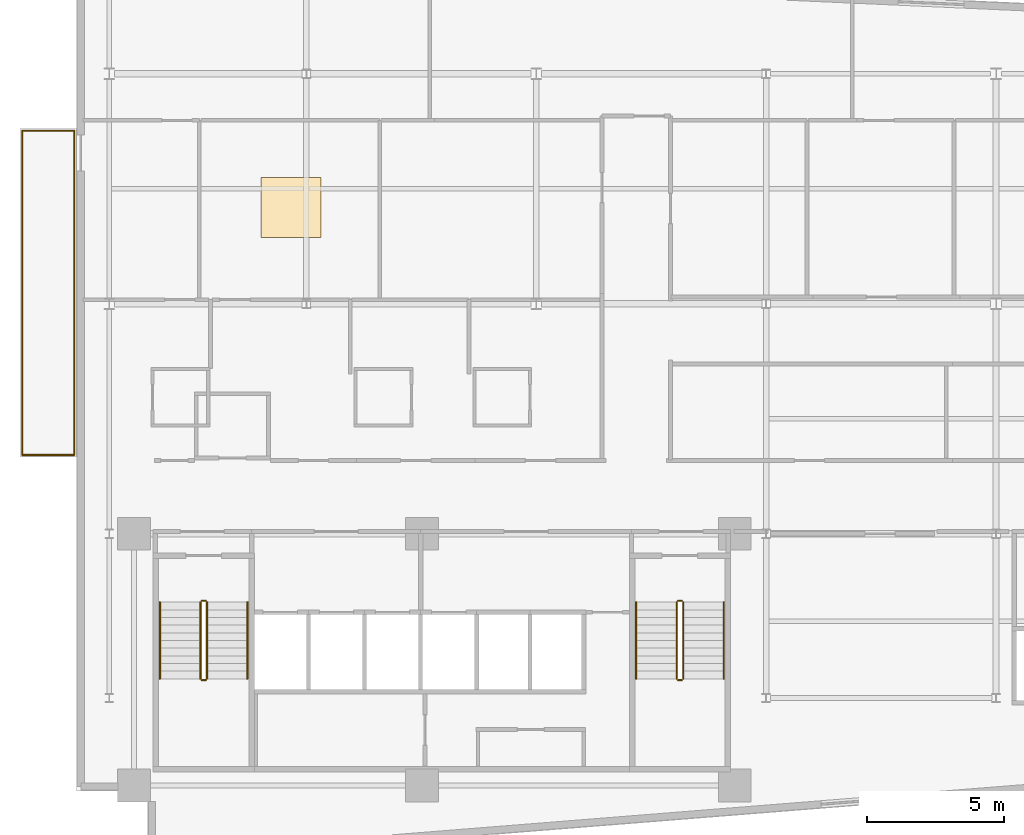
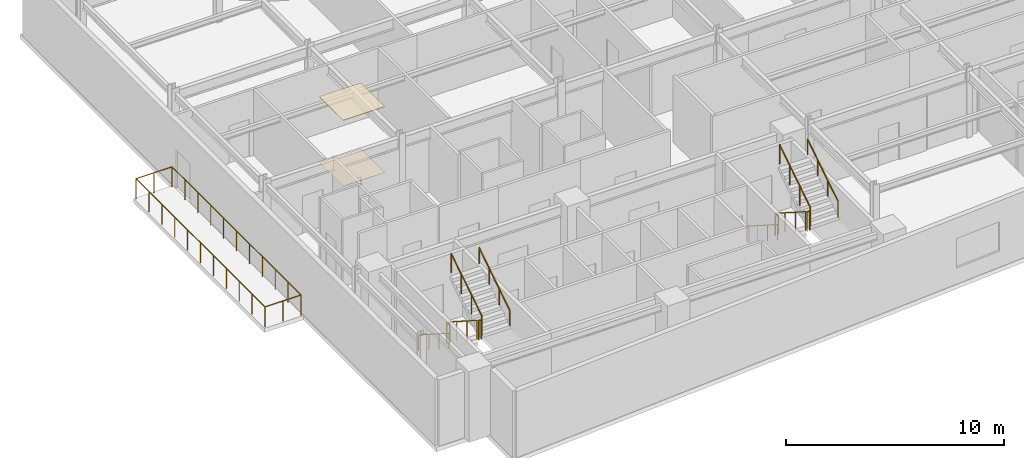
# One storey, part 14 of 17: 16 railings, 2 coverings.
"""IFC4 building model written with IfcOpenShell, lengths in metres."""

from ifc_helpers import new_model, si_unit, direction, frame, origin, origin_2d, place, context, subcontext, project, spatial, rectangle, circle, extrude, material, layer, layer_set, type_object, element, save


model = new_model("IFC4")

# Units and contexts
model_context = context("Model", 3, precision=1e-05, world=origin(), true_north=direction((0.0, 1.0)))
body_context = subcontext(model_context, "Body", "Model", "MODEL_VIEW")
ifc_project = project(units=[si_unit("LENGTHUNIT", "METRE"), si_unit("AREAUNIT", "SQUARE_METRE"), si_unit("VOLUMEUNIT", "CUBIC_METRE"), si_unit("PLANEANGLEUNIT", "RADIAN"), si_unit("MASSUNIT", "GRAM", prefix="KILO")], contexts=[model_context])

# Site, building, storey
site_placement = place(None, origin())
site = spatial("IfcSite", under=ifc_project, at=site_placement, CompositionType="ELEMENT")
building_placement = place(site_placement, origin())
building = spatial("IfcBuilding", under=site, at=building_placement, Name="Varnakote Quay Hospital", CompositionType="ELEMENT")
storey_placement = place(building_placement, frame((0.0, 0.0, 127.050048828125)))
storey = spatial("IfcBuildingStorey", under=building, at=storey_placement, Name="L31", CompositionType="ELEMENT", Elevation=127.050048828125)

# Coverings
ifc_material_1 = material(Name="Antimicrobial acoustic mineral ceiling tile", Category="gypsum")
ifc_layer_1 = layer(ifc_material_1, 0.02490234375)
ifc_layer_set_1 = layer_set([ifc_layer_1], Name="Antimicrobial acoustic mineral ceiling tile")
covering_type_1 = type_object("IfcCoveringType", Name="COV-CLIN-CEIL-25", PredefinedType="CEILING", material=ifc_layer_set_1)
covering_1_placement = place(storey_placement, frame((7.844970703125, 23.9150390625, 3.68505859375), z_axis=(0.0, 0.0, 1.0), x_axis=(1.0, 0.0, 0.0)))
element("IfcCovering", 1, at=covering_1_placement, inside=storey, type_object=covering_type_1, Name="L31 Antimicrobial Acoustic Ceiling Tile", PredefinedType="CEILING", context=body_context, shape_type="SweptSolid", body=[
    extrude(rectangle(XDim=2.199951171875, YDim=2.199951171875, at=origin_2d()), origin(), (0.0, 0.0, 1.0), 0.02490234375),
])
ifc_material_2 = material(Name="Seamless clinical sheet vinyl flooring")
ifc_layer_2 = layer(ifc_material_2, 0.011962890625)
ifc_layer_set_2 = layer_set([ifc_layer_2], Name="Seamless clinical sheet vinyl flooring")
covering_type_2 = type_object("IfcCoveringType", Name="COV-CLIN-VINYL-12", PredefinedType="FLOORING", material=ifc_layer_set_2)
covering_2_placement = place(storey_placement, frame((7.844970703125, 23.9150390625, 0.0), z_axis=(0.0, 0.0, 1.0), x_axis=(1.0, 0.0, 0.0)))
element("IfcCovering", 2, at=covering_2_placement, inside=storey, type_object=covering_type_2, Name="L31 Seamless Clinical Vinyl Flooring", PredefinedType="FLOORING", context=body_context, shape_type="SweptSolid", body=[
    extrude(rectangle(XDim=2.199951171875, YDim=2.199951171875, at=origin_2d()), origin(), (0.0, 0.0, 1.0), 0.011962890625),
])

# Railings
ifc_material_3 = material(Name="Anodised aluminium 6063-T6 Bronze", Category="aluminium")
railing_type_1 = type_object("IfcRailingType", Name="RLG-EXT-GUARD-1150", PredefinedType="GUARDRAIL", material=ifc_material_3)
railing_1_placement = place(storey_placement, frame((-0.075927734375, 14.8798828125, 0.0)))
element("IfcRailing", 3, at=railing_1_placement, inside=storey, type_object=railing_type_1, Name="L31 Zigzag Prow Healing Terrace Safety Guard", PredefinedType="GUARDRAIL", context=body_context, shape_type="SweptSolid", body=[
    extrude(circle(Radius=0.02392578125, at=origin_2d()), frame((0.0, 0.0, 1.1259765625), z_axis=(-1.0, 0.0, 0.0), x_axis=(0.0, -1.0, 0.0)), (0.0, 0.0, 1.0), 1.904052734375),
    extrude(circle(Radius=0.02099609375, at=origin_2d()), origin(), (0.0, 0.0, 1.0), 1.101806640625),
    extrude(circle(Radius=0.02099609375, at=origin_2d()), frame((-0.9521484375, 0.0, 0.0)), (0.0, 0.0, 1.0), 1.101806640625),
    extrude(circle(Radius=0.02099609375, at=origin_2d()), frame((-1.904052734375, 0.0, 0.0)), (0.0, 0.0, 1.0), 1.101806640625),
])
railing_2_placement = place(storey_placement, frame((-1.97998046875, 14.8798828125, 0.0)))
element("IfcRailing", 4, at=railing_2_placement, inside=storey, type_object=railing_type_1, Name="L31 Zigzag Prow Healing Terrace Safety Guard", PredefinedType="GUARDRAIL", context=body_context, shape_type="SweptSolid", body=[
    extrude(circle(Radius=0.02392578125, at=origin_2d()), frame((0.0, 0.0, 1.1259765625), z_axis=(0.0, 1.0, 0.0), x_axis=(-1.0, 0.0, 0.0)), (0.0, 0.0, 1.0), 11.840087890625),
    extrude(circle(Radius=0.02099609375, at=origin_2d()), origin(), (0.0, 0.0, 1.0), 1.101806640625),
    extrude(circle(Radius=0.02099609375, at=origin_2d()), frame((0.0, 1.18408203125, 0.0)), (0.0, 0.0, 1.0), 1.101806640625),
    extrude(circle(Radius=0.02099609375, at=origin_2d()), frame((0.0, 2.367919921875, 0.0)), (0.0, 0.0, 1.0), 1.101806640625),
    extrude(circle(Radius=0.02099609375, at=origin_2d()), frame((0.0, 3.552001953125, 0.0)), (0.0, 0.0, 1.0), 1.101806640625),
    extrude(circle(Radius=0.02099609375, at=origin_2d()), frame((0.0, 4.736083984375, 0.0)), (0.0, 0.0, 1.0), 1.101806640625),
    extrude(circle(Radius=0.02099609375, at=origin_2d()), frame((0.0, 5.919921875, 0.0)), (0.0, 0.0, 1.0), 1.101806640625),
    extrude(circle(Radius=0.02099609375, at=origin_2d()), frame((0.0, 7.10400390625, 0.0)), (0.0, 0.0, 1.0), 1.101806640625),
    extrude(circle(Radius=0.02099609375, at=origin_2d()), frame((0.0, 8.2880859375, 0.0)), (0.0, 0.0, 1.0), 1.101806640625),
    extrude(circle(Radius=0.02099609375, at=origin_2d()), frame((0.0, 9.47216796875, 0.0)), (0.0, 0.0, 1.0), 1.101806640625),
    extrude(circle(Radius=0.02099609375, at=origin_2d()), frame((0.0, 10.656005859375, 0.0)), (0.0, 0.0, 1.0), 1.101806640625),
    extrude(circle(Radius=0.02099609375, at=origin_2d()), frame((0.0, 11.840087890625, 0.0)), (0.0, 0.0, 1.0), 1.101806640625),
])
railing_3_placement = place(storey_placement, frame((-1.97998046875, 26.719970703125, 0.0)))
element("IfcRailing", 5, at=railing_3_placement, inside=storey, type_object=railing_type_1, Name="L31 Zigzag Prow Healing Terrace Safety Guard", PredefinedType="GUARDRAIL", context=body_context, shape_type="SweptSolid", body=[
    extrude(circle(Radius=0.02392578125, at=origin_2d()), frame((0.0, 0.0, 1.1259765625), z_axis=(1.0, 0.0, 0.0), x_axis=(0.0, 1.0, 0.0)), (0.0, 0.0, 1.0), 1.904052734375),
    extrude(circle(Radius=0.02099609375, at=origin_2d()), origin(), (0.0, 0.0, 1.0), 1.101806640625),
    extrude(circle(Radius=0.02099609375, at=origin_2d()), frame((0.9521484375, 0.0, 0.0)), (0.0, 0.0, 1.0), 1.101806640625),
    extrude(circle(Radius=0.02099609375, at=origin_2d()), frame((1.904052734375, 0.0, 0.0)), (0.0, 0.0, 1.0), 1.101806640625),
])
railing_4_placement = place(storey_placement, frame((-0.075927734375, 26.719970703125, 0.0)))
element("IfcRailing", 6, at=railing_4_placement, inside=storey, type_object=railing_type_1, Name="L31 Zigzag Prow Healing Terrace Safety Guard", PredefinedType="GUARDRAIL", context=body_context, shape_type="SweptSolid", body=[
    extrude(circle(Radius=0.02392578125, at=origin_2d()), frame((0.0, 0.0, 1.1259765625), z_axis=(0.0, -1.0, 0.0), x_axis=(1.0, 0.0, 0.0)), (0.0, 0.0, 1.0), 11.840087890625),
    extrude(circle(Radius=0.02099609375, at=origin_2d()), origin(), (0.0, 0.0, 1.0), 1.101806640625),
    extrude(circle(Radius=0.02099609375, at=origin_2d()), frame((0.0, -1.18408203125, 0.0)), (0.0, 0.0, 1.0), 1.101806640625),
    extrude(circle(Radius=0.02099609375, at=origin_2d()), frame((0.0, -2.367919921875, 0.0)), (0.0, 0.0, 1.0), 1.101806640625),
    extrude(circle(Radius=0.02099609375, at=origin_2d()), frame((0.0, -3.552001953125, 0.0)), (0.0, 0.0, 1.0), 1.101806640625),
    extrude(circle(Radius=0.02099609375, at=origin_2d()), frame((0.0, -4.736083984375, 0.0)), (0.0, 0.0, 1.0), 1.101806640625),
    extrude(circle(Radius=0.02099609375, at=origin_2d()), frame((0.0, -5.919921875, 0.0)), (0.0, 0.0, 1.0), 1.101806640625),
    extrude(circle(Radius=0.02099609375, at=origin_2d()), frame((0.0, -7.10400390625, 0.0)), (0.0, 0.0, 1.0), 1.101806640625),
    extrude(circle(Radius=0.02099609375, at=origin_2d()), frame((0.0, -8.2880859375, 0.0)), (0.0, 0.0, 1.0), 1.101806640625),
    extrude(circle(Radius=0.02099609375, at=origin_2d()), frame((0.0, -9.47216796875, 0.0)), (0.0, 0.0, 1.0), 1.101806640625),
    extrude(circle(Radius=0.02099609375, at=origin_2d()), frame((0.0, -10.656005859375, 0.0)), (0.0, 0.0, 1.0), 1.101806640625),
    extrude(circle(Radius=0.02099609375, at=origin_2d()), frame((0.0, -11.840087890625, 0.0)), (0.0, 0.0, 1.0), 1.101806640625),
])
ifc_material_4 = material(Name="Brushed stainless steel balustrade", Category="steel")
railing_type_2 = type_object("IfcRailingType", Name="RLG-STAIR-GUARD-1150", PredefinedType="GUARDRAIL", material=ifc_material_4)
railing_5_placement = place(storey_placement, frame((4.530029296875, 9.5, 0.179443359375)))
element("IfcRailing", 7, at=railing_5_placement, inside=storey, type_object=railing_type_2, Name="L31 ST-01 stair guard 1", PredefinedType="GUARDRAIL", context=body_context, shape_type="SweptSolid", body=[
    extrude(circle(Radius=0.02392578125, at=origin_2d()), frame((0.0, 0.0, 1.076171875), z_axis=(0.0, -0.841809871826, 0.539774156196), x_axis=(1.0, 0.0, 0.0)), (0.0, 0.0, 1.0), 3.326171875),
    extrude(circle(Radius=0.02099609375, at=origin_2d()), origin(), (0.0, 0.0, 1.0), 1.052001953125),
    extrude(circle(Radius=0.02099609375, at=origin_2d()), frame((0.0, -0.933349609375, 0.598388671875)), (0.0, 0.0, 1.0), 1.052001953125),
    extrude(circle(Radius=0.02099609375, at=origin_2d()), frame((0.0, -1.86669921875, 1.197021484375)), (0.0, 0.0, 1.0), 1.052001953125),
    extrude(circle(Radius=0.02099609375, at=origin_2d()), frame((0.0, -2.800048828125, 1.79541015625)), (0.0, 0.0, 1.0), 1.052001953125),
])
railing_6_placement = place(storey_placement, frame((4.580078125, 6.64990234375, 1.974853515625)))
element("IfcRailing", 8, at=railing_6_placement, inside=storey, type_object=railing_type_2, Name="L31 ST-01 stair guard 2", PredefinedType="GUARDRAIL", context=body_context, shape_type="SweptSolid", body=[
    extrude(circle(Radius=0.02392578125, at=origin_2d()), frame((0.0, 0.0, 1.076171875), z_axis=(1.0, 0.0, 0.0), x_axis=(0.0, 1.0, 0.0)), (0.0, 0.0, 1.0), 0.139892578125),
    extrude(circle(Radius=0.02099609375, at=origin_2d()), origin(), (0.0, 0.0, 1.0), 1.052001953125),
    extrude(circle(Radius=0.02099609375, at=origin_2d()), frame((0.139892578125, 0.0, 0.0)), (0.0, 0.0, 1.0), 1.052001953125),
])
railing_7_placement = place(storey_placement, frame((4.77001953125, 6.699951171875, 2.154541015625)))
element("IfcRailing", 9, at=railing_7_placement, inside=storey, type_object=railing_type_2, Name="L31 ST-01 stair guard 3", PredefinedType="GUARDRAIL", context=body_context, shape_type="SweptSolid", body=[
    extrude(circle(Radius=0.02392578125, at=origin_2d()), frame((0.0, 0.0, 1.076171875), z_axis=(0.0, 0.841809871826, 0.539774156196), x_axis=(-1.0, 0.0, 0.0)), (0.0, 0.0, 1.0), 3.326171875),
    extrude(circle(Radius=0.02099609375, at=origin_2d()), origin(), (0.0, 0.0, 1.0), 1.052001953125),
    extrude(circle(Radius=0.02099609375, at=origin_2d()), frame((0.0, 0.933349609375, 0.598388671875)), (0.0, 0.0, 1.0), 1.052001953125),
    extrude(circle(Radius=0.02099609375, at=origin_2d()), frame((0.0, 1.86669921875, 1.197021484375)), (0.0, 0.0, 1.0), 1.052001953125),
    extrude(circle(Radius=0.02099609375, at=origin_2d()), frame((0.0, 2.800048828125, 1.79541015625)), (0.0, 0.0, 1.0), 1.052001953125),
])
railing_8_placement = place(storey_placement, frame((4.580078125, 9.550048828125, 0.0)))
element("IfcRailing", 10, at=railing_8_placement, inside=storey, type_object=railing_type_2, Name="L31 ST-01 stair guard 4", PredefinedType="GUARDRAIL", context=body_context, shape_type="SweptSolid", body=[
    extrude(circle(Radius=0.02392578125, at=origin_2d()), frame((0.0, 0.0, 1.076171875), z_axis=(1.0, 0.0, 0.0), x_axis=(0.0, 1.0, 0.0)), (0.0, 0.0, 1.0), 0.139892578125),
    extrude(circle(Radius=0.02099609375, at=origin_2d()), origin(), (0.0, 0.0, 1.0), 1.052001953125),
    extrude(circle(Radius=0.02099609375, at=origin_2d()), frame((0.139892578125, 0.0, 0.0)), (0.0, 0.0, 1.0), 1.052001953125),
])
railing_9_placement = place(storey_placement, frame((21.929931640625, 9.5, 0.179443359375)))
element("IfcRailing", 11, at=railing_9_placement, inside=storey, type_object=railing_type_2, Name="L31 ST-02 stair guard 1", PredefinedType="GUARDRAIL", context=body_context, shape_type="SweptSolid", body=[
    extrude(circle(Radius=0.02392578125, at=origin_2d()), frame((0.0, 0.0, 1.076171875), z_axis=(0.0, -0.841809871826, 0.539774156196), x_axis=(1.0, 0.0, 0.0)), (0.0, 0.0, 1.0), 3.326171875),
    extrude(circle(Radius=0.02099609375, at=origin_2d()), origin(), (0.0, 0.0, 1.0), 1.052001953125),
    extrude(circle(Radius=0.02099609375, at=origin_2d()), frame((0.0, -0.933349609375, 0.598388671875)), (0.0, 0.0, 1.0), 1.052001953125),
    extrude(circle(Radius=0.02099609375, at=origin_2d()), frame((0.0, -1.86669921875, 1.197021484375)), (0.0, 0.0, 1.0), 1.052001953125),
    extrude(circle(Radius=0.02099609375, at=origin_2d()), frame((0.0, -2.800048828125, 1.79541015625)), (0.0, 0.0, 1.0), 1.052001953125),
])
railing_10_placement = place(storey_placement, frame((21.97998046875, 6.64990234375, 1.974853515625)))
element("IfcRailing", 12, at=railing_10_placement, inside=storey, type_object=railing_type_2, Name="L31 ST-02 stair guard 2", PredefinedType="GUARDRAIL", context=body_context, shape_type="SweptSolid", body=[
    extrude(circle(Radius=0.02392578125, at=origin_2d()), frame((0.0, 0.0, 1.076171875), z_axis=(1.0, 0.0, 0.0), x_axis=(0.0, 1.0, 0.0)), (0.0, 0.0, 1.0), 0.14013671875),
    extrude(circle(Radius=0.02099609375, at=origin_2d()), origin(), (0.0, 0.0, 1.0), 1.052001953125),
    extrude(circle(Radius=0.02099609375, at=origin_2d()), frame((0.14013671875, 0.0, 0.0)), (0.0, 0.0, 1.0), 1.052001953125),
])
railing_11_placement = place(storey_placement, frame((22.169921875, 6.699951171875, 2.154541015625)))
element("IfcRailing", 13, at=railing_11_placement, inside=storey, type_object=railing_type_2, Name="L31 ST-02 stair guard 3", PredefinedType="GUARDRAIL", context=body_context, shape_type="SweptSolid", body=[
    extrude(circle(Radius=0.02392578125, at=origin_2d()), frame((0.0, 0.0, 1.076171875), z_axis=(0.0, 0.841809871826, 0.539774156196), x_axis=(-1.0, 0.0, 0.0)), (0.0, 0.0, 1.0), 3.326171875),
    extrude(circle(Radius=0.02099609375, at=origin_2d()), origin(), (0.0, 0.0, 1.0), 1.052001953125),
    extrude(circle(Radius=0.02099609375, at=origin_2d()), frame((0.0, 0.933349609375, 0.598388671875)), (0.0, 0.0, 1.0), 1.052001953125),
    extrude(circle(Radius=0.02099609375, at=origin_2d()), frame((0.0, 1.86669921875, 1.197021484375)), (0.0, 0.0, 1.0), 1.052001953125),
    extrude(circle(Radius=0.02099609375, at=origin_2d()), frame((0.0, 2.800048828125, 1.79541015625)), (0.0, 0.0, 1.0), 1.052001953125),
])
railing_12_placement = place(storey_placement, frame((21.97998046875, 9.550048828125, 0.0)))
element("IfcRailing", 14, at=railing_12_placement, inside=storey, type_object=railing_type_2, Name="L31 ST-02 stair guard 4", PredefinedType="GUARDRAIL", context=body_context, shape_type="SweptSolid", body=[
    extrude(circle(Radius=0.02392578125, at=origin_2d()), frame((0.0, 0.0, 1.076171875), z_axis=(1.0, 0.0, 0.0), x_axis=(0.0, 1.0, 0.0)), (0.0, 0.0, 1.0), 0.14013671875),
    extrude(circle(Radius=0.02099609375, at=origin_2d()), origin(), (0.0, 0.0, 1.0), 1.052001953125),
    extrude(circle(Radius=0.02099609375, at=origin_2d()), frame((0.14013671875, 0.0, 0.0)), (0.0, 0.0, 1.0), 1.052001953125),
])
ifc_material_5 = material(Name="Brushed stainless steel handrail", Category="steel")
railing_type_3 = type_object("IfcRailingType", Name="RLG-STAIR-HND-920", PredefinedType="HANDRAIL", material=ifc_material_5)
railing_13_placement = place(storey_placement, frame((3.050048828125, 9.5, 0.179443359375)))
element("IfcRailing", 15, at=railing_13_placement, inside=storey, type_object=railing_type_3, Name="L31 ST-01 stair handrail 1", PredefinedType="HANDRAIL", context=body_context, shape_type="SweptSolid", body=[
    extrude(circle(Radius=0.02392578125, at=origin_2d()), frame((0.0, 0.0, 0.8759765625), z_axis=(0.0, -0.841809871826, 0.539774156196), x_axis=(1.0, 0.0, 0.0)), (0.0, 0.0, 1.0), 3.326171875),
    extrude(circle(Radius=0.02099609375, at=origin_2d()), origin(), (0.0, 0.0, 1.0), 0.851806640625),
    extrude(circle(Radius=0.02099609375, at=origin_2d()), frame((0.0, -0.933349609375, 0.598388671875)), (0.0, 0.0, 1.0), 0.851806640625),
    extrude(circle(Radius=0.02099609375, at=origin_2d()), frame((0.0, -1.86669921875, 1.197021484375)), (0.0, 0.0, 1.0), 0.851806640625),
    extrude(circle(Radius=0.02099609375, at=origin_2d()), frame((0.0, -2.800048828125, 1.79541015625)), (0.0, 0.0, 1.0), 0.851806640625),
])
railing_14_placement = place(storey_placement, frame((6.25, 6.699951171875, 2.154541015625)))
element("IfcRailing", 16, at=railing_14_placement, inside=storey, type_object=railing_type_3, Name="L31 ST-01 stair handrail 2", PredefinedType="HANDRAIL", context=body_context, shape_type="SweptSolid", body=[
    extrude(circle(Radius=0.02392578125, at=origin_2d()), frame((0.0, 0.0, 0.8759765625), z_axis=(0.0, 0.841809871826, 0.539774156196), x_axis=(-1.0, 0.0, 0.0)), (0.0, 0.0, 1.0), 3.326171875),
    extrude(circle(Radius=0.02099609375, at=origin_2d()), origin(), (0.0, 0.0, 1.0), 0.851806640625),
    extrude(circle(Radius=0.02099609375, at=origin_2d()), frame((0.0, 0.933349609375, 0.598388671875)), (0.0, 0.0, 1.0), 0.851806640625),
    extrude(circle(Radius=0.02099609375, at=origin_2d()), frame((0.0, 1.86669921875, 1.197021484375)), (0.0, 0.0, 1.0), 0.851806640625),
    extrude(circle(Radius=0.02099609375, at=origin_2d()), frame((0.0, 2.800048828125, 1.79541015625)), (0.0, 0.0, 1.0), 0.851806640625),
])
railing_15_placement = place(storey_placement, frame((20.449951171875, 9.5, 0.179443359375)))
element("IfcRailing", 17, at=railing_15_placement, inside=storey, type_object=railing_type_3, Name="L31 ST-02 stair handrail 1", PredefinedType="HANDRAIL", context=body_context, shape_type="SweptSolid", body=[
    extrude(circle(Radius=0.02392578125, at=origin_2d()), frame((0.0, 0.0, 0.8759765625), z_axis=(0.0, -0.841809871826, 0.539774156196), x_axis=(1.0, 0.0, 0.0)), (0.0, 0.0, 1.0), 3.326171875),
    extrude(circle(Radius=0.02099609375, at=origin_2d()), origin(), (0.0, 0.0, 1.0), 0.851806640625),
    extrude(circle(Radius=0.02099609375, at=origin_2d()), frame((0.0, -0.933349609375, 0.598388671875)), (0.0, 0.0, 1.0), 0.851806640625),
    extrude(circle(Radius=0.02099609375, at=origin_2d()), frame((0.0, -1.86669921875, 1.197021484375)), (0.0, 0.0, 1.0), 0.851806640625),
    extrude(circle(Radius=0.02099609375, at=origin_2d()), frame((0.0, -2.800048828125, 1.79541015625)), (0.0, 0.0, 1.0), 0.851806640625),
])
railing_16_placement = place(storey_placement, frame((23.64990234375, 6.699951171875, 2.154541015625)))
element("IfcRailing", 18, at=railing_16_placement, inside=storey, type_object=railing_type_3, Name="L31 ST-02 stair handrail 2", PredefinedType="HANDRAIL", context=body_context, shape_type="SweptSolid", body=[
    extrude(circle(Radius=0.02392578125, at=origin_2d()), frame((0.0, 0.0, 0.8759765625), z_axis=(0.0, 0.841809871826, 0.539774156196), x_axis=(-1.0, 0.0, 0.0)), (0.0, 0.0, 1.0), 3.326171875),
    extrude(circle(Radius=0.02099609375, at=origin_2d()), origin(), (0.0, 0.0, 1.0), 0.851806640625),
    extrude(circle(Radius=0.02099609375, at=origin_2d()), frame((0.0, 0.933349609375, 0.598388671875)), (0.0, 0.0, 1.0), 0.851806640625),
    extrude(circle(Radius=0.02099609375, at=origin_2d()), frame((0.0, 1.86669921875, 1.197021484375)), (0.0, 0.0, 1.0), 0.851806640625),
    extrude(circle(Radius=0.02099609375, at=origin_2d()), frame((0.0, 2.800048828125, 1.79541015625)), (0.0, 0.0, 1.0), 0.851806640625),
])

save(model, "model.ifc")
